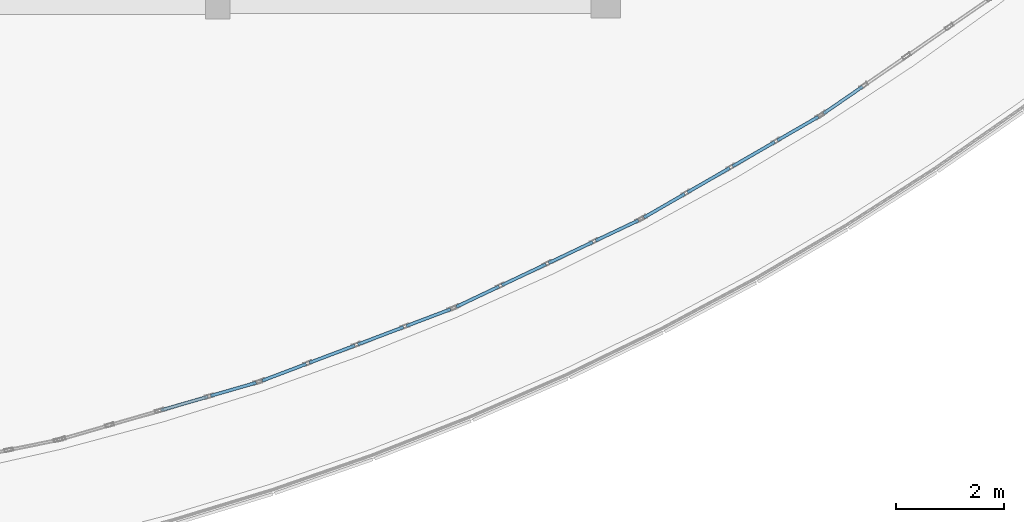
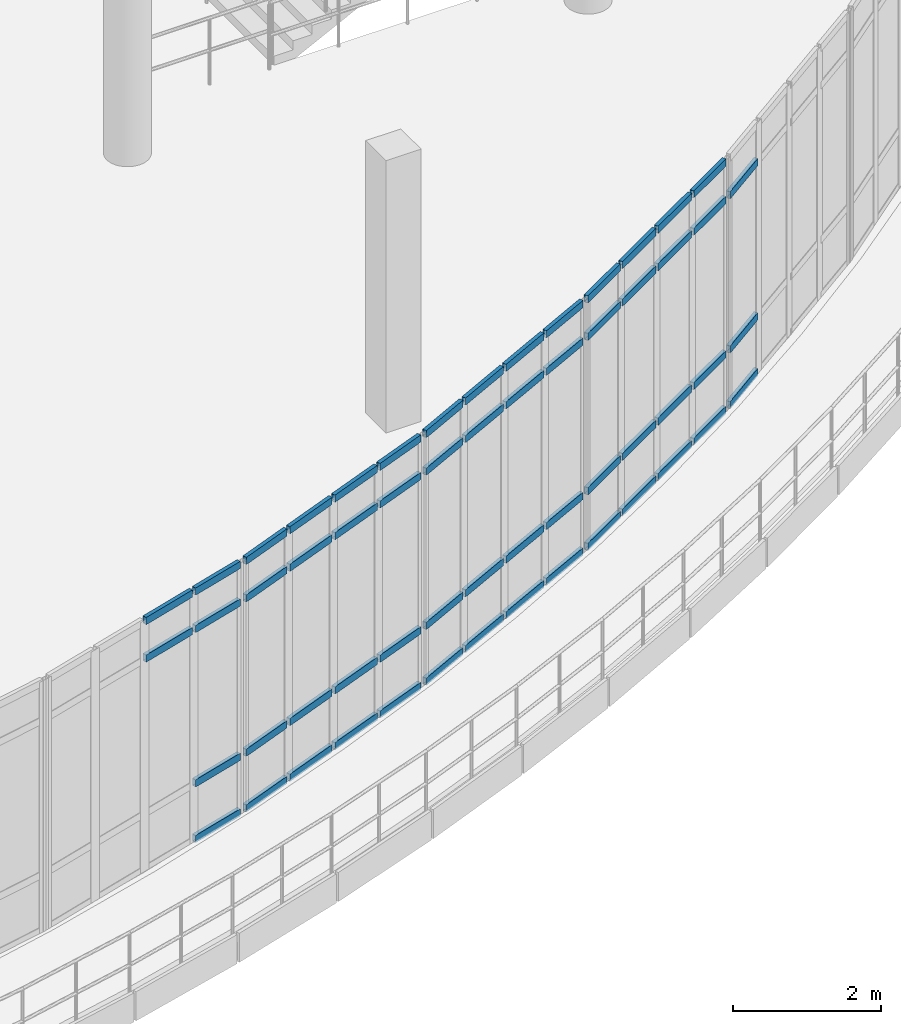
# One storey, part 83 of 124: 57 members, 5 elements without a shape of their own.
"""IFC4 building model written with IfcOpenShell, lengths in metres."""

from ifc_helpers import new_model, si_unit, direction, frame, origin, origin_2d, place, context, subcontext, project, spatial, hollow_rectangle, extrude, material, material_profile, profile_set, type_object, element, aggregate, save


model = new_model("IFC4")

# Units and contexts
model_context = context("Model", 3, precision=1e-05, world=origin(), true_north=direction((0.0, 1.0)))
body_context = subcontext(model_context, "Body", "Model", "MODEL_VIEW")
ifc_project = project(units=[si_unit("LENGTHUNIT", "METRE"), si_unit("AREAUNIT", "SQUARE_METRE"), si_unit("VOLUMEUNIT", "CUBIC_METRE"), si_unit("PLANEANGLEUNIT", "RADIAN"), si_unit("MASSUNIT", "GRAM", prefix="KILO")], contexts=[model_context])

# Site, building, storey
site_placement = place(None, origin())
site = spatial("IfcSite", under=ifc_project, at=site_placement, CompositionType="ELEMENT")
building_placement = place(site_placement, origin())
building = spatial("IfcBuilding", under=site, at=building_placement, Name="Kalluvel Institute of Natural Sciences", CompositionType="ELEMENT")
storey_placement = place(building_placement, frame((0.0, 0.0, 9.89990234375)))
storey = spatial("IfcBuildingStorey", under=building, at=storey_placement, Name="L02", CompositionType="ELEMENT", Elevation=9.89990234375)

# Curtain wall, members
ifc_material = material(Name="Aluminium AW-6063 T6", Category="aluminium")
curtain_wall_type = type_object("IfcCurtainWallType", Name="CW-ATR-ARC", PredefinedType="USERDEFINED", material=ifc_material)
curtain_wall_1_placement = place(storey_placement, origin())
curtain_wall_1 = element("IfcCurtainWall", 1, at=curtain_wall_1_placement, inside=storey, type_object=curtain_wall_type, Name="L02 Gothic lancet curtain wall CWA-L02-X471-Y563", ObjectType="UNITISED LANCET FACADE", PredefinedType="USERDEFINED")
ifc_material_profile = material_profile(ifc_material, hollow_rectangle(XDim=0.06005859375, YDim=0.1201171875, WallThickness=0.00390625, at=origin_2d()), Name="CWT 60x120")
ifc_profile_set = profile_set([ifc_material_profile], Name="Aluminium AW-6063 T6")
member_type = type_object("IfcMemberType", Name="CWT-60x120", PredefinedType="USERDEFINED", material=ifc_profile_set)
member_1_placement = place(storey_placement, frame((48.944580078125, 56.8369140625, 3.5), z_axis=(0.960560469191, 0.278071186978, 0.0), x_axis=(-0.278071186978, 0.960560469191, 0.0)))
member_1 = element("IfcMember", 2, at=member_1_placement, type_object=member_type, Name="CW-05 transom 3.3", ObjectType="TRANSOM", PredefinedType="USERDEFINED", context=body_context, shape_type="SweptSolid", body=[
    extrude(hollow_rectangle(XDim=0.06005859375, YDim=0.1201171875, WallThickness=0.00390625, at=origin_2d()), origin(), (0.0, 0.0, 1.0), 0.904296875),
])
member_2_placement = place(storey_placement, frame((48.944580078125, 56.8369140625, 4.1201171875), z_axis=(0.960560469191, 0.278071186978, 0.0), x_axis=(-0.278071186978, 0.960560469191, 0.0)))
member_2 = element("IfcMember", 3, at=member_2_placement, type_object=member_type, Name="CW-05 transom 3.4", ObjectType="TRANSOM", PredefinedType="USERDEFINED", context=body_context, shape_type="SweptSolid", body=[
    extrude(hollow_rectangle(XDim=0.06005859375, YDim=0.1201171875, WallThickness=0.00390625, at=origin_2d()), origin(), (0.0, 0.0, 1.0), 0.904296875),
])
member_3_placement = place(storey_placement, frame((49.870849609375, 57.105224609375, 0.030029296875), z_axis=(0.960548561814, 0.278112316153, 0.0), x_axis=(-0.278112316153, 0.960548561814, 0.0)))
member_3 = element("IfcMember", 4, at=member_3_placement, type_object=member_type, Name="CW-05 transom 4.1", ObjectType="TRANSOM", PredefinedType="USERDEFINED", context=body_context, shape_type="SweptSolid", body=[
    extrude(hollow_rectangle(XDim=0.06005859375, YDim=0.1201171875, WallThickness=0.00390625, at=origin_2d()), origin(), (0.0, 0.0, 1.0), 0.874267578125),
])
member_4_placement = place(storey_placement, frame((49.870849609375, 57.105224609375, 0.9501953125), z_axis=(0.960548561814, 0.278112316153, 0.0), x_axis=(-0.278112316153, 0.960548561814, 0.0)))
member_4 = element("IfcMember", 5, at=member_4_placement, type_object=member_type, Name="CW-05 transom 4.2", ObjectType="TRANSOM", PredefinedType="USERDEFINED", context=body_context, shape_type="SweptSolid", body=[
    extrude(hollow_rectangle(XDim=0.06005859375, YDim=0.1201171875, WallThickness=0.00390625, at=origin_2d()), origin(), (0.0, 0.0, 1.0), 0.874267578125),
])
member_5_placement = place(storey_placement, frame((49.870849609375, 57.105224609375, 3.5), z_axis=(0.960548561814, 0.278112316153, 0.0), x_axis=(-0.278112316153, 0.960548561814, 0.0)))
member_5 = element("IfcMember", 6, at=member_5_placement, type_object=member_type, Name="CW-05 transom 4.3", ObjectType="TRANSOM", PredefinedType="USERDEFINED", context=body_context, shape_type="SweptSolid", body=[
    extrude(hollow_rectangle(XDim=0.06005859375, YDim=0.1201171875, WallThickness=0.00390625, at=origin_2d()), origin(), (0.0, 0.0, 1.0), 0.874267578125),
])
member_6_placement = place(storey_placement, frame((49.870849609375, 57.105224609375, 4.1201171875), z_axis=(0.960548561814, 0.278112316153, 0.0), x_axis=(-0.278112316153, 0.960548561814, 0.0)))
member_6 = element("IfcMember", 7, at=member_6_placement, type_object=member_type, Name="CW-05 transom 4.4", ObjectType="TRANSOM", PredefinedType="USERDEFINED", context=body_context, shape_type="SweptSolid", body=[
    extrude(hollow_rectangle(XDim=0.06005859375, YDim=0.1201171875, WallThickness=0.00390625, at=origin_2d()), origin(), (0.0, 0.0, 1.0), 0.874267578125),
])
aggregate(curtain_wall_1, [member_1, member_2, member_3, member_4, member_5, member_6])

curtain_wall_2_placement = place(storey_placement, origin())
curtain_wall_2 = element("IfcCurtainWall", 8, at=curtain_wall_2_placement, inside=storey, type_object=curtain_wall_type, Name="L02 Gothic lancet curtain wall CWA-L02-X508-Y574", ObjectType="UNITISED LANCET FACADE", PredefinedType="USERDEFINED")
member_7_placement = place(storey_placement, frame((50.824462890625, 57.386474609375, 0.030029296875), z_axis=(0.935026255443, 0.354578484447, 0.0), x_axis=(-0.354578484447, 0.935026255443, 0.0)))
member_7 = element("IfcMember", 9, at=member_7_placement, type_object=member_type, Name="CW-05 transom 1.1", ObjectType="TRANSOM", PredefinedType="USERDEFINED", context=body_context, shape_type="SweptSolid", body=[
    extrude(hollow_rectangle(XDim=0.06005859375, YDim=0.1201171875, WallThickness=0.00390625, at=origin_2d()), origin(), (0.0, 0.0, 1.0), 0.87451171875),
])
member_8_placement = place(storey_placement, frame((50.824462890625, 57.386474609375, 0.9501953125), z_axis=(0.935026255443, 0.354578484447, 0.0), x_axis=(-0.354578484447, 0.935026255443, 0.0)))
member_8 = element("IfcMember", 10, at=member_8_placement, type_object=member_type, Name="CW-05 transom 1.2", ObjectType="TRANSOM", PredefinedType="USERDEFINED", context=body_context, shape_type="SweptSolid", body=[
    extrude(hollow_rectangle(XDim=0.06005859375, YDim=0.1201171875, WallThickness=0.00390625, at=origin_2d()), origin(), (0.0, 0.0, 1.0), 0.87451171875),
])
member_9_placement = place(storey_placement, frame((50.824462890625, 57.386474609375, 3.5), z_axis=(0.935026255443, 0.354578484447, 0.0), x_axis=(-0.354578484447, 0.935026255443, 0.0)))
member_9 = element("IfcMember", 11, at=member_9_placement, type_object=member_type, Name="CW-05 transom 1.3", ObjectType="TRANSOM", PredefinedType="USERDEFINED", context=body_context, shape_type="SweptSolid", body=[
    extrude(hollow_rectangle(XDim=0.06005859375, YDim=0.1201171875, WallThickness=0.00390625, at=origin_2d()), origin(), (0.0, 0.0, 1.0), 0.87451171875),
])
member_10_placement = place(storey_placement, frame((50.824462890625, 57.386474609375, 4.1201171875), z_axis=(0.935026255443, 0.354578484447, 0.0), x_axis=(-0.354578484447, 0.935026255443, 0.0)))
member_10 = element("IfcMember", 12, at=member_10_placement, type_object=member_type, Name="CW-05 transom 1.4", ObjectType="TRANSOM", PredefinedType="USERDEFINED", context=body_context, shape_type="SweptSolid", body=[
    extrude(hollow_rectangle(XDim=0.06005859375, YDim=0.1201171875, WallThickness=0.00390625, at=origin_2d()), origin(), (0.0, 0.0, 1.0), 0.87451171875),
])
member_11_placement = place(storey_placement, frame((51.6982421875, 57.7177734375, 0.030029296875), z_axis=(0.935046916287, 0.354523996848, 0.0), x_axis=(-0.354523996848, 0.935046916287, 0.0)))
member_11 = element("IfcMember", 13, at=member_11_placement, type_object=member_type, Name="CW-05 transom 2.1", ObjectType="TRANSOM", PredefinedType="USERDEFINED", context=body_context, shape_type="SweptSolid", body=[
    extrude(hollow_rectangle(XDim=0.06005859375, YDim=0.1201171875, WallThickness=0.00390625, at=origin_2d()), origin(), (0.0, 0.0, 1.0), 0.904296875),
])
member_12_placement = place(storey_placement, frame((51.6982421875, 57.7177734375, 0.9501953125), z_axis=(0.935046916287, 0.354523996848, 0.0), x_axis=(-0.354523996848, 0.935046916287, 0.0)))
member_12 = element("IfcMember", 14, at=member_12_placement, type_object=member_type, Name="CW-05 transom 2.2", ObjectType="TRANSOM", PredefinedType="USERDEFINED", context=body_context, shape_type="SweptSolid", body=[
    extrude(hollow_rectangle(XDim=0.06005859375, YDim=0.1201171875, WallThickness=0.00390625, at=origin_2d()), origin(), (0.0, 0.0, 1.0), 0.904296875),
])
member_13_placement = place(storey_placement, frame((51.6982421875, 57.7177734375, 3.5), z_axis=(0.935046916287, 0.354523996848, 0.0), x_axis=(-0.354523996848, 0.935046916287, 0.0)))
member_13 = element("IfcMember", 15, at=member_13_placement, type_object=member_type, Name="CW-05 transom 2.3", ObjectType="TRANSOM", PredefinedType="USERDEFINED", context=body_context, shape_type="SweptSolid", body=[
    extrude(hollow_rectangle(XDim=0.06005859375, YDim=0.1201171875, WallThickness=0.00390625, at=origin_2d()), origin(), (0.0, 0.0, 1.0), 0.904296875),
])
member_14_placement = place(storey_placement, frame((51.6982421875, 57.7177734375, 4.1201171875), z_axis=(0.935046916287, 0.354523996848, 0.0), x_axis=(-0.354523996848, 0.935046916287, 0.0)))
member_14 = element("IfcMember", 16, at=member_14_placement, type_object=member_type, Name="CW-05 transom 2.4", ObjectType="TRANSOM", PredefinedType="USERDEFINED", context=body_context, shape_type="SweptSolid", body=[
    extrude(hollow_rectangle(XDim=0.06005859375, YDim=0.1201171875, WallThickness=0.00390625, at=origin_2d()), origin(), (0.0, 0.0, 1.0), 0.904296875),
])
member_15_placement = place(storey_placement, frame((52.599853515625, 58.0595703125, 0.030029296875), z_axis=(0.934991353446, 0.354670507629, 0.0), x_axis=(-0.354670507629, 0.934991353446, 0.0)))
member_15 = element("IfcMember", 17, at=member_15_placement, type_object=member_type, Name="CW-05 transom 3.1", ObjectType="TRANSOM", PredefinedType="USERDEFINED", context=body_context, shape_type="SweptSolid", body=[
    extrude(hollow_rectangle(XDim=0.06005859375, YDim=0.1201171875, WallThickness=0.00390625, at=origin_2d()), origin(), (0.0, 0.0, 1.0), 0.904541015625),
])
member_16_placement = place(storey_placement, frame((52.599853515625, 58.0595703125, 0.9501953125), z_axis=(0.934991353446, 0.354670507629, 0.0), x_axis=(-0.354670507629, 0.934991353446, 0.0)))
member_16 = element("IfcMember", 18, at=member_16_placement, type_object=member_type, Name="CW-05 transom 3.2", ObjectType="TRANSOM", PredefinedType="USERDEFINED", context=body_context, shape_type="SweptSolid", body=[
    extrude(hollow_rectangle(XDim=0.06005859375, YDim=0.1201171875, WallThickness=0.00390625, at=origin_2d()), origin(), (0.0, 0.0, 1.0), 0.904541015625),
])
member_17_placement = place(storey_placement, frame((52.599853515625, 58.0595703125, 3.5), z_axis=(0.934991353446, 0.354670507629, 0.0), x_axis=(-0.354670507629, 0.934991353446, 0.0)))
member_17 = element("IfcMember", 19, at=member_17_placement, type_object=member_type, Name="CW-05 transom 3.3", ObjectType="TRANSOM", PredefinedType="USERDEFINED", context=body_context, shape_type="SweptSolid", body=[
    extrude(hollow_rectangle(XDim=0.06005859375, YDim=0.1201171875, WallThickness=0.00390625, at=origin_2d()), origin(), (0.0, 0.0, 1.0), 0.904541015625),
])
member_18_placement = place(storey_placement, frame((52.599853515625, 58.0595703125, 4.1201171875), z_axis=(0.934991353446, 0.354670507629, 0.0), x_axis=(-0.354670507629, 0.934991353446, 0.0)))
member_18 = element("IfcMember", 20, at=member_18_placement, type_object=member_type, Name="CW-05 transom 3.4", ObjectType="TRANSOM", PredefinedType="USERDEFINED", context=body_context, shape_type="SweptSolid", body=[
    extrude(hollow_rectangle(XDim=0.06005859375, YDim=0.1201171875, WallThickness=0.00390625, at=origin_2d()), origin(), (0.0, 0.0, 1.0), 0.904541015625),
])
member_19_placement = place(storey_placement, frame((53.50146484375, 58.401611328125, 0.030029296875), z_axis=(0.935026255443, 0.354578484447, 0.0), x_axis=(-0.354578484447, 0.935026255443, 0.0)))
member_19 = element("IfcMember", 21, at=member_19_placement, type_object=member_type, Name="CW-05 transom 4.1", ObjectType="TRANSOM", PredefinedType="USERDEFINED", context=body_context, shape_type="SweptSolid", body=[
    extrude(hollow_rectangle(XDim=0.06005859375, YDim=0.1201171875, WallThickness=0.00390625, at=origin_2d()), origin(), (0.0, 0.0, 1.0), 0.87451171875),
])
member_20_placement = place(storey_placement, frame((53.50146484375, 58.401611328125, 0.9501953125), z_axis=(0.935026255443, 0.354578484447, 0.0), x_axis=(-0.354578484447, 0.935026255443, 0.0)))
member_20 = element("IfcMember", 22, at=member_20_placement, type_object=member_type, Name="CW-05 transom 4.2", ObjectType="TRANSOM", PredefinedType="USERDEFINED", context=body_context, shape_type="SweptSolid", body=[
    extrude(hollow_rectangle(XDim=0.06005859375, YDim=0.1201171875, WallThickness=0.00390625, at=origin_2d()), origin(), (0.0, 0.0, 1.0), 0.87451171875),
])
member_21_placement = place(storey_placement, frame((53.50146484375, 58.401611328125, 3.5), z_axis=(0.935026255443, 0.354578484447, 0.0), x_axis=(-0.354578484447, 0.935026255443, 0.0)))
member_21 = element("IfcMember", 23, at=member_21_placement, type_object=member_type, Name="CW-05 transom 4.3", ObjectType="TRANSOM", PredefinedType="USERDEFINED", context=body_context, shape_type="SweptSolid", body=[
    extrude(hollow_rectangle(XDim=0.06005859375, YDim=0.1201171875, WallThickness=0.00390625, at=origin_2d()), origin(), (0.0, 0.0, 1.0), 0.87451171875),
])
member_22_placement = place(storey_placement, frame((53.50146484375, 58.401611328125, 4.1201171875), z_axis=(0.935026255443, 0.354578484447, 0.0), x_axis=(-0.354578484447, 0.935026255443, 0.0)))
member_22 = element("IfcMember", 24, at=member_22_placement, type_object=member_type, Name="CW-05 transom 4.4", ObjectType="TRANSOM", PredefinedType="USERDEFINED", context=body_context, shape_type="SweptSolid", body=[
    extrude(hollow_rectangle(XDim=0.06005859375, YDim=0.1201171875, WallThickness=0.00390625, at=origin_2d()), origin(), (0.0, 0.0, 1.0), 0.87451171875),
])
aggregate(curtain_wall_2, [member_7, member_8, member_9, member_10, member_11, member_12, member_13, member_14, member_15, member_16, member_17, member_18, member_19, member_20, member_21, member_22])

curtain_wall_3_placement = place(storey_placement, origin())
curtain_wall_3 = element("IfcCurtainWall", 25, at=curtain_wall_3_placement, inside=storey, type_object=curtain_wall_type, Name="L02 Gothic lancet curtain wall CWA-L02-X544-Y587", ObjectType="UNITISED LANCET FACADE", PredefinedType="USERDEFINED")
member_23_placement = place(storey_placement, frame((54.429443359375, 58.7587890625, 0.030029296875), z_axis=(0.903453310217, 0.428686501138, 0.0), x_axis=(-0.428686501138, 0.903453310217, 0.0)))
member_23 = element("IfcMember", 26, at=member_23_placement, type_object=member_type, Name="CW-05 transom 1.1", ObjectType="TRANSOM", PredefinedType="USERDEFINED", context=body_context, shape_type="SweptSolid", body=[
    extrude(hollow_rectangle(XDim=0.06005859375, YDim=0.1201171875, WallThickness=0.00390625, at=origin_2d()), origin(), (0.0, 0.0, 1.0), 0.874267578125),
])
member_24_placement = place(storey_placement, frame((54.429443359375, 58.7587890625, 0.9501953125), z_axis=(0.903453310217, 0.428686501138, 0.0), x_axis=(-0.428686501138, 0.903453310217, 0.0)))
member_24 = element("IfcMember", 27, at=member_24_placement, type_object=member_type, Name="CW-05 transom 1.2", ObjectType="TRANSOM", PredefinedType="USERDEFINED", context=body_context, shape_type="SweptSolid", body=[
    extrude(hollow_rectangle(XDim=0.06005859375, YDim=0.1201171875, WallThickness=0.00390625, at=origin_2d()), origin(), (0.0, 0.0, 1.0), 0.874267578125),
])
member_25_placement = place(storey_placement, frame((54.429443359375, 58.7587890625, 3.5), z_axis=(0.903453310217, 0.428686501138, 0.0), x_axis=(-0.428686501138, 0.903453310217, 0.0)))
member_25 = element("IfcMember", 28, at=member_25_placement, type_object=member_type, Name="CW-05 transom 1.3", ObjectType="TRANSOM", PredefinedType="USERDEFINED", context=body_context, shape_type="SweptSolid", body=[
    extrude(hollow_rectangle(XDim=0.06005859375, YDim=0.1201171875, WallThickness=0.00390625, at=origin_2d()), origin(), (0.0, 0.0, 1.0), 0.874267578125),
])
member_26_placement = place(storey_placement, frame((54.429443359375, 58.7587890625, 4.1201171875), z_axis=(0.903453310217, 0.428686501138, 0.0), x_axis=(-0.428686501138, 0.903453310217, 0.0)))
member_26 = element("IfcMember", 29, at=member_26_placement, type_object=member_type, Name="CW-05 transom 1.4", ObjectType="TRANSOM", PredefinedType="USERDEFINED", context=body_context, shape_type="SweptSolid", body=[
    extrude(hollow_rectangle(XDim=0.06005859375, YDim=0.1201171875, WallThickness=0.00390625, at=origin_2d()), origin(), (0.0, 0.0, 1.0), 0.874267578125),
])
member_27_placement = place(storey_placement, frame((55.2734375, 59.1591796875, 0.030029296875), z_axis=(0.903468336978, 0.428654830929, 0.0), x_axis=(-0.428654830929, 0.903468336978, 0.0)))
member_27 = element("IfcMember", 30, at=member_27_placement, type_object=member_type, Name="CW-05 transom 2.1", ObjectType="TRANSOM", PredefinedType="USERDEFINED", context=body_context, shape_type="SweptSolid", body=[
    extrude(hollow_rectangle(XDim=0.06005859375, YDim=0.1201171875, WallThickness=0.00390625, at=origin_2d()), origin(), (0.0, 0.0, 1.0), 0.904541015625),
])
member_28_placement = place(storey_placement, frame((55.2734375, 59.1591796875, 0.9501953125), z_axis=(0.903468336978, 0.428654830929, 0.0), x_axis=(-0.428654830929, 0.903468336978, 0.0)))
member_28 = element("IfcMember", 31, at=member_28_placement, type_object=member_type, Name="CW-05 transom 2.2", ObjectType="TRANSOM", PredefinedType="USERDEFINED", context=body_context, shape_type="SweptSolid", body=[
    extrude(hollow_rectangle(XDim=0.06005859375, YDim=0.1201171875, WallThickness=0.00390625, at=origin_2d()), origin(), (0.0, 0.0, 1.0), 0.904541015625),
])
member_29_placement = place(storey_placement, frame((55.2734375, 59.1591796875, 3.5), z_axis=(0.903468336978, 0.428654830929, 0.0), x_axis=(-0.428654830929, 0.903468336978, 0.0)))
member_29 = element("IfcMember", 32, at=member_29_placement, type_object=member_type, Name="CW-05 transom 2.3", ObjectType="TRANSOM", PredefinedType="USERDEFINED", context=body_context, shape_type="SweptSolid", body=[
    extrude(hollow_rectangle(XDim=0.06005859375, YDim=0.1201171875, WallThickness=0.00390625, at=origin_2d()), origin(), (0.0, 0.0, 1.0), 0.904541015625),
])
member_30_placement = place(storey_placement, frame((55.2734375, 59.1591796875, 4.1201171875), z_axis=(0.903468336978, 0.428654830929, 0.0), x_axis=(-0.428654830929, 0.903468336978, 0.0)))
member_30 = element("IfcMember", 33, at=member_30_placement, type_object=member_type, Name="CW-05 transom 2.4", ObjectType="TRANSOM", PredefinedType="USERDEFINED", context=body_context, shape_type="SweptSolid", body=[
    extrude(hollow_rectangle(XDim=0.06005859375, YDim=0.1201171875, WallThickness=0.00390625, at=origin_2d()), origin(), (0.0, 0.0, 1.0), 0.904541015625),
])
member_31_placement = place(storey_placement, frame((56.144775390625, 59.57275390625, 0.030029296875), z_axis=(0.903468336978, 0.428654830929, 0.0), x_axis=(-0.428654830929, 0.903468336978, 0.0)))
member_31 = element("IfcMember", 34, at=member_31_placement, type_object=member_type, Name="CW-05 transom 3.1", ObjectType="TRANSOM", PredefinedType="USERDEFINED", context=body_context, shape_type="SweptSolid", body=[
    extrude(hollow_rectangle(XDim=0.06005859375, YDim=0.1201171875, WallThickness=0.00390625, at=origin_2d()), origin(), (0.0, 0.0, 1.0), 0.904541015625),
])
member_32_placement = place(storey_placement, frame((56.144775390625, 59.57275390625, 0.9501953125), z_axis=(0.903468336978, 0.428654830929, 0.0), x_axis=(-0.428654830929, 0.903468336978, 0.0)))
member_32 = element("IfcMember", 35, at=member_32_placement, type_object=member_type, Name="CW-05 transom 3.2", ObjectType="TRANSOM", PredefinedType="USERDEFINED", context=body_context, shape_type="SweptSolid", body=[
    extrude(hollow_rectangle(XDim=0.06005859375, YDim=0.1201171875, WallThickness=0.00390625, at=origin_2d()), origin(), (0.0, 0.0, 1.0), 0.904541015625),
])
member_33_placement = place(storey_placement, frame((56.144775390625, 59.57275390625, 3.5), z_axis=(0.903468336978, 0.428654830929, 0.0), x_axis=(-0.428654830929, 0.903468336978, 0.0)))
member_33 = element("IfcMember", 36, at=member_33_placement, type_object=member_type, Name="CW-05 transom 3.3", ObjectType="TRANSOM", PredefinedType="USERDEFINED", context=body_context, shape_type="SweptSolid", body=[
    extrude(hollow_rectangle(XDim=0.06005859375, YDim=0.1201171875, WallThickness=0.00390625, at=origin_2d()), origin(), (0.0, 0.0, 1.0), 0.904541015625),
])
member_34_placement = place(storey_placement, frame((56.144775390625, 59.57275390625, 4.1201171875), z_axis=(0.903468336978, 0.428654830929, 0.0), x_axis=(-0.428654830929, 0.903468336978, 0.0)))
member_34 = element("IfcMember", 37, at=member_34_placement, type_object=member_type, Name="CW-05 transom 3.4", ObjectType="TRANSOM", PredefinedType="USERDEFINED", context=body_context, shape_type="SweptSolid", body=[
    extrude(hollow_rectangle(XDim=0.06005859375, YDim=0.1201171875, WallThickness=0.00390625, at=origin_2d()), origin(), (0.0, 0.0, 1.0), 0.904541015625),
])
member_35_placement = place(storey_placement, frame((57.01611328125, 59.986083984375, 0.030029296875), z_axis=(0.903345131859, 0.428914411912, 0.0), x_axis=(-0.428914411912, 0.903345131859, 0.0)))
member_35 = element("IfcMember", 38, at=member_35_placement, type_object=member_type, Name="CW-05 transom 4.1", ObjectType="TRANSOM", PredefinedType="USERDEFINED", context=body_context, shape_type="SweptSolid", body=[
    extrude(hollow_rectangle(XDim=0.06005859375, YDim=0.1201171875, WallThickness=0.00390625, at=origin_2d()), origin(), (0.0, 0.0, 1.0), 0.874267578125),
])
member_36_placement = place(storey_placement, frame((57.01611328125, 59.986083984375, 0.9501953125), z_axis=(0.903345131859, 0.428914411912, 0.0), x_axis=(-0.428914411912, 0.903345131859, 0.0)))
member_36 = element("IfcMember", 39, at=member_36_placement, type_object=member_type, Name="CW-05 transom 4.2", ObjectType="TRANSOM", PredefinedType="USERDEFINED", context=body_context, shape_type="SweptSolid", body=[
    extrude(hollow_rectangle(XDim=0.06005859375, YDim=0.1201171875, WallThickness=0.00390625, at=origin_2d()), origin(), (0.0, 0.0, 1.0), 0.874267578125),
])
member_37_placement = place(storey_placement, frame((57.01611328125, 59.986083984375, 3.5), z_axis=(0.903345131859, 0.428914411912, 0.0), x_axis=(-0.428914411912, 0.903345131859, 0.0)))
member_37 = element("IfcMember", 40, at=member_37_placement, type_object=member_type, Name="CW-05 transom 4.3", ObjectType="TRANSOM", PredefinedType="USERDEFINED", context=body_context, shape_type="SweptSolid", body=[
    extrude(hollow_rectangle(XDim=0.06005859375, YDim=0.1201171875, WallThickness=0.00390625, at=origin_2d()), origin(), (0.0, 0.0, 1.0), 0.874267578125),
])
member_38_placement = place(storey_placement, frame((57.01611328125, 59.986083984375, 4.1201171875), z_axis=(0.903345131859, 0.428914411912, 0.0), x_axis=(-0.428914411912, 0.903345131859, 0.0)))
member_38 = element("IfcMember", 41, at=member_38_placement, type_object=member_type, Name="CW-05 transom 4.4", ObjectType="TRANSOM", PredefinedType="USERDEFINED", context=body_context, shape_type="SweptSolid", body=[
    extrude(hollow_rectangle(XDim=0.06005859375, YDim=0.1201171875, WallThickness=0.00390625, at=origin_2d()), origin(), (0.0, 0.0, 1.0), 0.874267578125),
])
aggregate(curtain_wall_3, [member_23, member_24, member_25, member_26, member_27, member_28, member_29, member_30, member_31, member_32, member_33, member_34, member_35, member_36, member_37, member_38])

curtain_wall_4_placement = place(storey_placement, origin())
curtain_wall_4 = element("IfcCurtainWall", 42, at=curtain_wall_4_placement, inside=storey, type_object=curtain_wall_type, Name="L02 Gothic lancet curtain wall CWA-L02-X579-Y604", ObjectType="UNITISED LANCET FACADE", PredefinedType="USERDEFINED")
member_39_placement = place(storey_placement, frame((57.912109375, 60.416748046875, 0.030029296875), z_axis=(0.866139097356, 0.499803025231, 0.0), x_axis=(-0.499803025231, 0.866139097356, 0.0)))
member_39 = element("IfcMember", 43, at=member_39_placement, type_object=member_type, Name="CW-05 transom 1.1", ObjectType="TRANSOM", PredefinedType="USERDEFINED", context=body_context, shape_type="SweptSolid", body=[
    extrude(hollow_rectangle(XDim=0.06005859375, YDim=0.1201171875, WallThickness=0.00390625, at=origin_2d()), origin(), (0.0, 0.0, 1.0), 0.874267578125),
])
member_40_placement = place(storey_placement, frame((57.912109375, 60.416748046875, 0.9501953125), z_axis=(0.866139097356, 0.499803025231, 0.0), x_axis=(-0.499803025231, 0.866139097356, 0.0)))
member_40 = element("IfcMember", 44, at=member_40_placement, type_object=member_type, Name="CW-05 transom 1.2", ObjectType="TRANSOM", PredefinedType="USERDEFINED", context=body_context, shape_type="SweptSolid", body=[
    extrude(hollow_rectangle(XDim=0.06005859375, YDim=0.1201171875, WallThickness=0.00390625, at=origin_2d()), origin(), (0.0, 0.0, 1.0), 0.874267578125),
])
member_41_placement = place(storey_placement, frame((57.912109375, 60.416748046875, 3.5), z_axis=(0.866139097356, 0.499803025231, 0.0), x_axis=(-0.499803025231, 0.866139097356, 0.0)))
member_41 = element("IfcMember", 45, at=member_41_placement, type_object=member_type, Name="CW-05 transom 1.3", ObjectType="TRANSOM", PredefinedType="USERDEFINED", context=body_context, shape_type="SweptSolid", body=[
    extrude(hollow_rectangle(XDim=0.06005859375, YDim=0.1201171875, WallThickness=0.00390625, at=origin_2d()), origin(), (0.0, 0.0, 1.0), 0.874267578125),
])
member_42_placement = place(storey_placement, frame((57.912109375, 60.416748046875, 4.1201171875), z_axis=(0.866139097356, 0.499803025231, 0.0), x_axis=(-0.499803025231, 0.866139097356, 0.0)))
member_42 = element("IfcMember", 46, at=member_42_placement, type_object=member_type, Name="CW-05 transom 1.4", ObjectType="TRANSOM", PredefinedType="USERDEFINED", context=body_context, shape_type="SweptSolid", body=[
    extrude(hollow_rectangle(XDim=0.06005859375, YDim=0.1201171875, WallThickness=0.00390625, at=origin_2d()), origin(), (0.0, 0.0, 1.0), 0.874267578125),
])
member_43_placement = place(storey_placement, frame((58.721435546875, 60.8837890625, 0.030029296875), z_axis=(0.866041729639, 0.499971721724, 0.0), x_axis=(-0.499971721724, 0.866041729639, 0.0)))
member_43 = element("IfcMember", 47, at=member_43_placement, type_object=member_type, Name="CW-05 transom 2.1", ObjectType="TRANSOM", PredefinedType="USERDEFINED", context=body_context, shape_type="SweptSolid", body=[
    extrude(hollow_rectangle(XDim=0.06005859375, YDim=0.1201171875, WallThickness=0.00390625, at=origin_2d()), origin(), (0.0, 0.0, 1.0), 0.904296875),
])
member_44_placement = place(storey_placement, frame((58.721435546875, 60.8837890625, 0.9501953125), z_axis=(0.866041729639, 0.499971721724, 0.0), x_axis=(-0.499971721724, 0.866041729639, 0.0)))
member_44 = element("IfcMember", 48, at=member_44_placement, type_object=member_type, Name="CW-05 transom 2.2", ObjectType="TRANSOM", PredefinedType="USERDEFINED", context=body_context, shape_type="SweptSolid", body=[
    extrude(hollow_rectangle(XDim=0.06005859375, YDim=0.1201171875, WallThickness=0.00390625, at=origin_2d()), origin(), (0.0, 0.0, 1.0), 0.904296875),
])
member_45_placement = place(storey_placement, frame((58.721435546875, 60.8837890625, 3.5), z_axis=(0.866041729639, 0.499971721724, 0.0), x_axis=(-0.499971721724, 0.866041729639, 0.0)))
member_45 = element("IfcMember", 49, at=member_45_placement, type_object=member_type, Name="CW-05 transom 2.3", ObjectType="TRANSOM", PredefinedType="USERDEFINED", context=body_context, shape_type="SweptSolid", body=[
    extrude(hollow_rectangle(XDim=0.06005859375, YDim=0.1201171875, WallThickness=0.00390625, at=origin_2d()), origin(), (0.0, 0.0, 1.0), 0.904296875),
])
member_46_placement = place(storey_placement, frame((58.721435546875, 60.8837890625, 4.1201171875), z_axis=(0.866041729639, 0.499971721724, 0.0), x_axis=(-0.499971721724, 0.866041729639, 0.0)))
member_46 = element("IfcMember", 50, at=member_46_placement, type_object=member_type, Name="CW-05 transom 2.4", ObjectType="TRANSOM", PredefinedType="USERDEFINED", context=body_context, shape_type="SweptSolid", body=[
    extrude(hollow_rectangle(XDim=0.06005859375, YDim=0.1201171875, WallThickness=0.00390625, at=origin_2d()), origin(), (0.0, 0.0, 1.0), 0.904296875),
])
member_47_placement = place(storey_placement, frame((59.556640625, 61.365966796875, 0.030029296875), z_axis=(0.866041729639, 0.499971721724, 0.0), x_axis=(-0.499971721724, 0.866041729639, 0.0)))
member_47 = element("IfcMember", 51, at=member_47_placement, type_object=member_type, Name="CW-05 transom 3.1", ObjectType="TRANSOM", PredefinedType="USERDEFINED", context=body_context, shape_type="SweptSolid", body=[
    extrude(hollow_rectangle(XDim=0.06005859375, YDim=0.1201171875, WallThickness=0.00390625, at=origin_2d()), origin(), (0.0, 0.0, 1.0), 0.904296875),
])
member_48_placement = place(storey_placement, frame((59.556640625, 61.365966796875, 0.9501953125), z_axis=(0.866041729639, 0.499971721724, 0.0), x_axis=(-0.499971721724, 0.866041729639, 0.0)))
member_48 = element("IfcMember", 52, at=member_48_placement, type_object=member_type, Name="CW-05 transom 3.2", ObjectType="TRANSOM", PredefinedType="USERDEFINED", context=body_context, shape_type="SweptSolid", body=[
    extrude(hollow_rectangle(XDim=0.06005859375, YDim=0.1201171875, WallThickness=0.00390625, at=origin_2d()), origin(), (0.0, 0.0, 1.0), 0.904296875),
])
member_49_placement = place(storey_placement, frame((59.556640625, 61.365966796875, 3.5), z_axis=(0.866041729639, 0.499971721724, 0.0), x_axis=(-0.499971721724, 0.866041729639, 0.0)))
member_49 = element("IfcMember", 53, at=member_49_placement, type_object=member_type, Name="CW-05 transom 3.3", ObjectType="TRANSOM", PredefinedType="USERDEFINED", context=body_context, shape_type="SweptSolid", body=[
    extrude(hollow_rectangle(XDim=0.06005859375, YDim=0.1201171875, WallThickness=0.00390625, at=origin_2d()), origin(), (0.0, 0.0, 1.0), 0.904296875),
])
member_50_placement = place(storey_placement, frame((59.556640625, 61.365966796875, 4.1201171875), z_axis=(0.866041729639, 0.499971721724, 0.0), x_axis=(-0.499971721724, 0.866041729639, 0.0)))
member_50 = element("IfcMember", 54, at=member_50_placement, type_object=member_type, Name="CW-05 transom 3.4", ObjectType="TRANSOM", PredefinedType="USERDEFINED", context=body_context, shape_type="SweptSolid", body=[
    extrude(hollow_rectangle(XDim=0.06005859375, YDim=0.1201171875, WallThickness=0.00390625, at=origin_2d()), origin(), (0.0, 0.0, 1.0), 0.904296875),
])
member_51_placement = place(storey_placement, frame((60.3916015625, 61.84814453125, 0.030029296875), z_axis=(0.866018215049, 0.500012451049, 0.0), x_axis=(-0.500012451049, 0.866018215049, 0.0)))
member_51 = element("IfcMember", 55, at=member_51_placement, type_object=member_type, Name="CW-05 transom 4.1", ObjectType="TRANSOM", PredefinedType="USERDEFINED", context=body_context, shape_type="SweptSolid", body=[
    extrude(hollow_rectangle(XDim=0.06005859375, YDim=0.1201171875, WallThickness=0.00390625, at=origin_2d()), origin(), (0.0, 0.0, 1.0), 0.87451171875),
])
member_52_placement = place(storey_placement, frame((60.3916015625, 61.84814453125, 0.9501953125), z_axis=(0.866018215049, 0.500012451049, 0.0), x_axis=(-0.500012451049, 0.866018215049, 0.0)))
member_52 = element("IfcMember", 56, at=member_52_placement, type_object=member_type, Name="CW-05 transom 4.2", ObjectType="TRANSOM", PredefinedType="USERDEFINED", context=body_context, shape_type="SweptSolid", body=[
    extrude(hollow_rectangle(XDim=0.06005859375, YDim=0.1201171875, WallThickness=0.00390625, at=origin_2d()), origin(), (0.0, 0.0, 1.0), 0.87451171875),
])
member_53_placement = place(storey_placement, frame((60.3916015625, 61.84814453125, 3.5), z_axis=(0.866018215049, 0.500012451049, 0.0), x_axis=(-0.500012451049, 0.866018215049, 0.0)))
member_53 = element("IfcMember", 57, at=member_53_placement, type_object=member_type, Name="CW-05 transom 4.3", ObjectType="TRANSOM", PredefinedType="USERDEFINED", context=body_context, shape_type="SweptSolid", body=[
    extrude(hollow_rectangle(XDim=0.06005859375, YDim=0.1201171875, WallThickness=0.00390625, at=origin_2d()), origin(), (0.0, 0.0, 1.0), 0.87451171875),
])
member_54_placement = place(storey_placement, frame((60.3916015625, 61.84814453125, 4.1201171875), z_axis=(0.866018215049, 0.500012451049, 0.0), x_axis=(-0.500012451049, 0.866018215049, 0.0)))
member_54 = element("IfcMember", 58, at=member_54_placement, type_object=member_type, Name="CW-05 transom 4.4", ObjectType="TRANSOM", PredefinedType="USERDEFINED", context=body_context, shape_type="SweptSolid", body=[
    extrude(hollow_rectangle(XDim=0.06005859375, YDim=0.1201171875, WallThickness=0.00390625, at=origin_2d()), origin(), (0.0, 0.0, 1.0), 0.87451171875),
])
aggregate(curtain_wall_4, [member_39, member_40, member_41, member_42, member_43, member_44, member_45, member_46, member_47, member_48, member_49, member_50, member_51, member_52, member_53, member_54])

curtain_wall_5_placement = place(storey_placement, origin())
curtain_wall_5 = element("IfcCurtainWall", 59, at=curtain_wall_5_placement, inside=storey, type_object=curtain_wall_type, Name="L02 Gothic lancet curtain wall CWA-L02-X612-Y623", ObjectType="UNITISED LANCET FACADE", PredefinedType="USERDEFINED")
member_55_placement = place(storey_placement, frame((61.250244140625, 62.349365234375, 0.030029296875), z_axis=(0.822965264865, 0.56809169403, 0.0), x_axis=(-0.56809169403, 0.822965264865, 0.0)))
member_55 = element("IfcMember", 60, at=member_55_placement, type_object=member_type, Name="CW-05 transom 1.1", ObjectType="TRANSOM", PredefinedType="USERDEFINED", context=body_context, shape_type="SweptSolid", body=[
    extrude(hollow_rectangle(XDim=0.06005859375, YDim=0.1201171875, WallThickness=0.00390625, at=origin_2d()), origin(), (0.0, 0.0, 1.0), 0.87451171875),
])
member_56_placement = place(storey_placement, frame((61.250244140625, 62.349365234375, 0.9501953125), z_axis=(0.822965264865, 0.56809169403, 0.0), x_axis=(-0.56809169403, 0.822965264865, 0.0)))
member_56 = element("IfcMember", 61, at=member_56_placement, type_object=member_type, Name="CW-05 transom 1.2", ObjectType="TRANSOM", PredefinedType="USERDEFINED", context=body_context, shape_type="SweptSolid", body=[
    extrude(hollow_rectangle(XDim=0.06005859375, YDim=0.1201171875, WallThickness=0.00390625, at=origin_2d()), origin(), (0.0, 0.0, 1.0), 0.87451171875),
])
member_57_placement = place(storey_placement, frame((61.250244140625, 62.349365234375, 3.5), z_axis=(0.822965264865, 0.56809169403, 0.0), x_axis=(-0.56809169403, 0.822965264865, 0.0)))
member_57 = element("IfcMember", 62, at=member_57_placement, type_object=member_type, Name="CW-05 transom 1.3", ObjectType="TRANSOM", PredefinedType="USERDEFINED", context=body_context, shape_type="SweptSolid", body=[
    extrude(hollow_rectangle(XDim=0.06005859375, YDim=0.1201171875, WallThickness=0.00390625, at=origin_2d()), origin(), (0.0, 0.0, 1.0), 0.87451171875),
])
aggregate(curtain_wall_5, [member_55, member_56, member_57])

save(model, "model.ifc")
